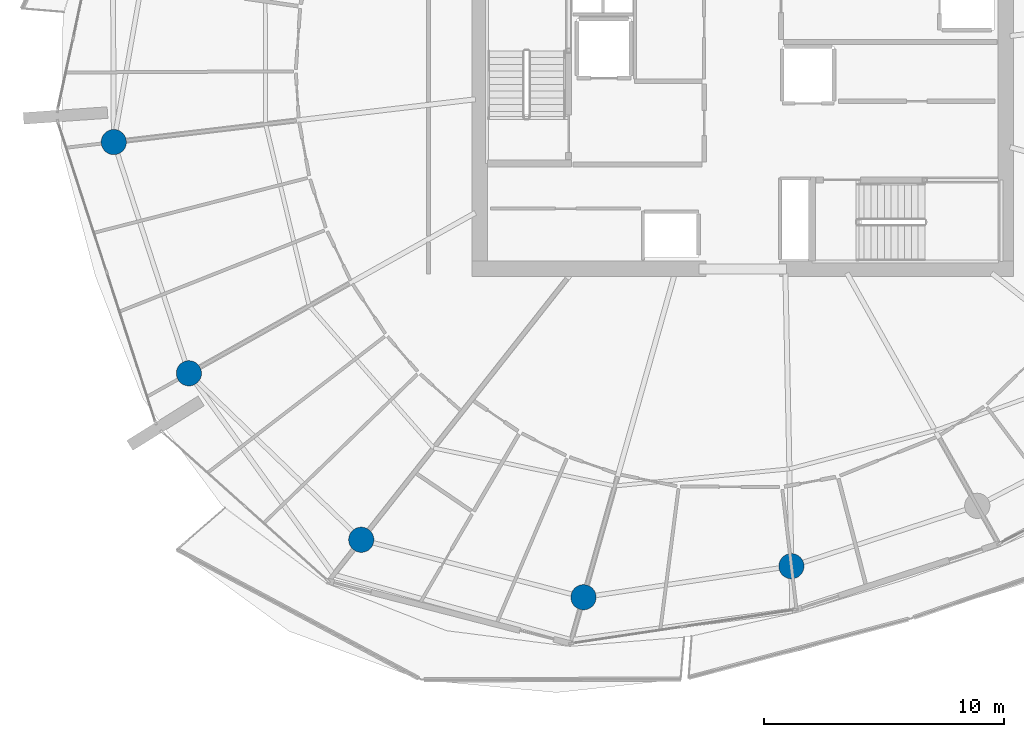
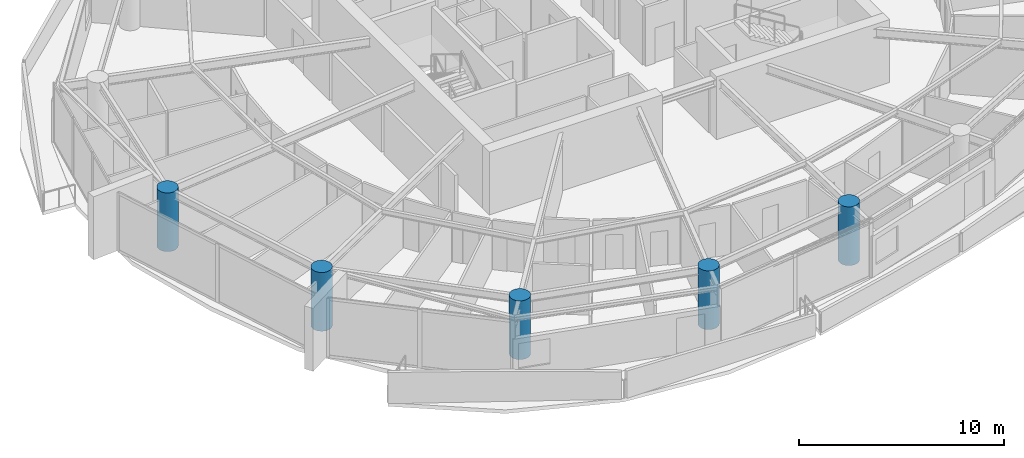
# One storey, part 1 of 21: 5 columns.
"""IFC4 building model written with IfcOpenShell, lengths in metres."""

from ifc_helpers import new_model, si_unit, direction, frame, origin, origin_2d, place, context, subcontext, project, spatial, circle, extrude, material, material_profile, profile_set, type_object, element, save


model = new_model("IFC4")

# Units and contexts
model_context = context("Model", 3, precision=1e-05, world=origin(), true_north=direction((0.0, 1.0)))
body_context = subcontext(model_context, "Body", "Model", "MODEL_VIEW")
ifc_project = project(units=[si_unit("LENGTHUNIT", "METRE"), si_unit("AREAUNIT", "SQUARE_METRE"), si_unit("VOLUMEUNIT", "CUBIC_METRE"), si_unit("PLANEANGLEUNIT", "RADIAN"), si_unit("MASSUNIT", "GRAM", prefix="KILO")], contexts=[model_context])

# Site, building, storey
site_placement = place(None, origin())
site = spatial("IfcSite", under=ifc_project, at=site_placement, CompositionType="ELEMENT")
building_placement = place(site_placement, origin())
building = spatial("IfcBuilding", under=site, at=building_placement, Name="Kazma Halo Residences", CompositionType="ELEMENT")
storey_placement = place(building_placement, frame((0.0, 0.0, 184.050048828125)))
storey = spatial("IfcBuildingStorey", under=building, at=storey_placement, Name="L46", CompositionType="ELEMENT", Elevation=184.050048828125)

# Columns
ifc_material = material(Name="Concrete C80/95", Category="concrete")
ifc_material_profile = material_profile(ifc_material, circle(Radius=0.52490234375, at=origin_2d()), Name="CIRC1050")
ifc_profile_set = profile_set([ifc_material_profile], Name="Concrete C80/95")
column_type = type_object("IfcColumnType", Name="COL-PERIM-1050", PredefinedType="COLUMN", material=ifc_profile_set)
for number, where, z_axis, x_axis, name in (
    (1, (22.248291015625, 38.9521484375, 0.0), (0.0, 0.0, 1.0), (1.0, 0.0, 0.0), "L46 perimeter ring column P08"),
    (2, (25.375, 29.329345703125, 0.0), (0.0, 0.0, 1.0), (1.0, 0.0, 0.0), "L46 perimeter ring column P09"),
    (3, (32.54931640625, 22.401123046875, 0.0), (0.0, 0.0, 1.0), (1.0, 0.0, 0.0), "L46 perimeter ring column P10"),
    (4, (41.797607421875, 20.00830078125, 0.0), (0.0, 0.0, 1.0), (1.0, 0.0, 0.0), "L46 perimeter ring column P11"),
    (5, (50.449951171875, 21.30029296875, 0.0), (0.0, 0.0, 1.0), (1.0, 0.0, 0.0), "L46 perimeter ring column P12"),
):
    element("IfcColumn", number, at=place(storey_placement, frame(where, z_axis=z_axis, x_axis=x_axis)), inside=storey, type_object=column_type, Name=name, PredefinedType="COLUMN", context=body_context, shape_type="SweptSolid", body=[
        extrude(circle(Radius=0.52490234375, at=origin_2d()), origin(), (0.0, 0.0, 1.0), 3.5),
    ])

save(model, "model.ifc")
